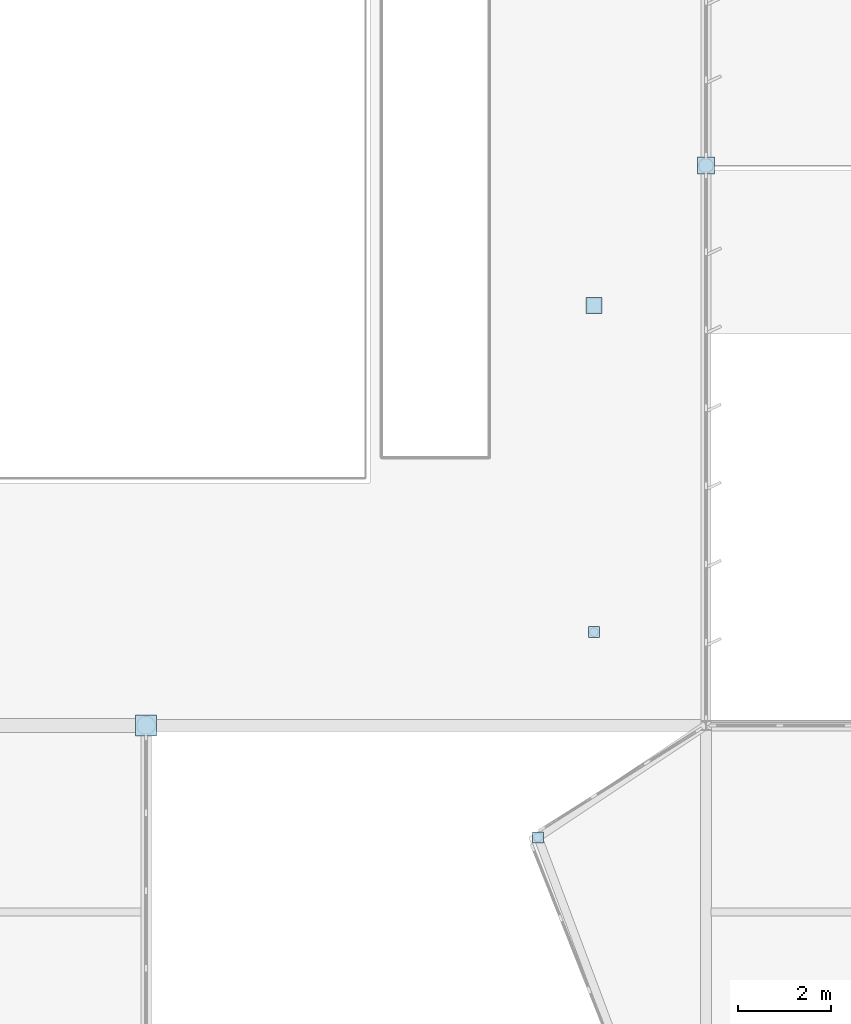
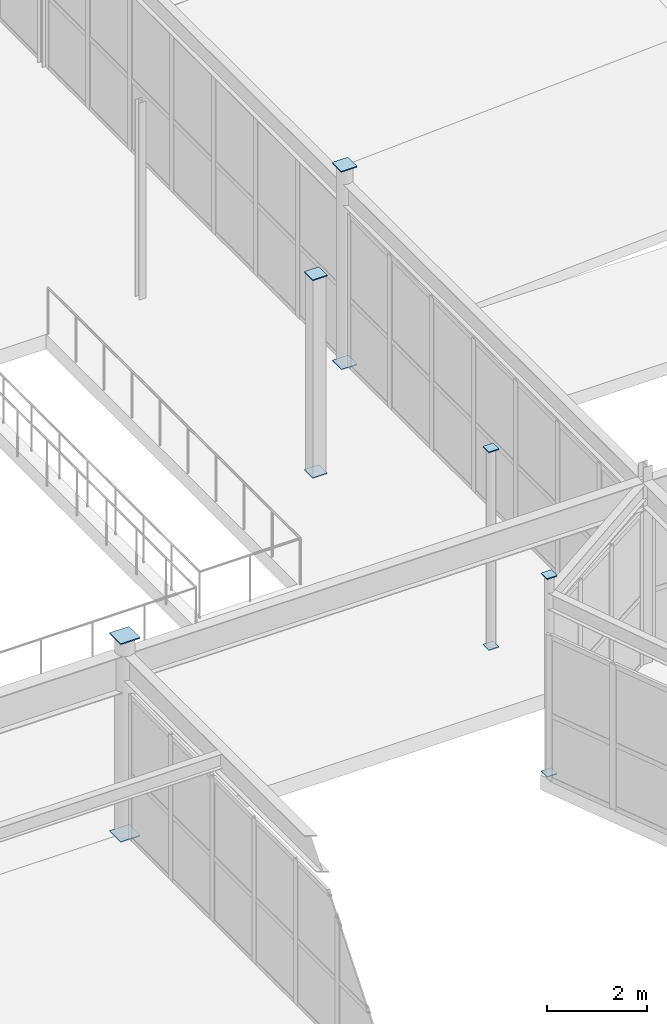
# One storey, part 181 of 226: 10 plates.
"""IFC4 building model written with IfcOpenShell, lengths in metres."""

from ifc_helpers import new_model, si_unit, direction, frame, origin, origin_2d, place, context, subcontext, project, spatial, rectangle, extrude, material, layer, layer_set, type_object, element, save


model = new_model("IFC4")

# Units and contexts
model_context = context("Model", 3, precision=1e-05, world=origin(), true_north=direction((0.0, 1.0)))
body_context = subcontext(model_context, "Body", "Model", "MODEL_VIEW")
ifc_project = project(units=[si_unit("LENGTHUNIT", "METRE"), si_unit("AREAUNIT", "SQUARE_METRE"), si_unit("VOLUMEUNIT", "CUBIC_METRE"), si_unit("PLANEANGLEUNIT", "RADIAN"), si_unit("MASSUNIT", "GRAM", prefix="KILO")], contexts=[model_context])

# Site, building, storey
site_placement = place(None, origin())
site = spatial("IfcSite", under=ifc_project, at=site_placement, CompositionType="ELEMENT")
building_placement = place(site_placement, origin())
building = spatial("IfcBuilding", under=site, at=building_placement, Name="Tarnwether General Hospital", CompositionType="ELEMENT")
storey_placement = place(building_placement, frame((0.0, 0.0, 4.800048828125)))
storey = spatial("IfcBuildingStorey", under=building, at=storey_placement, Name="L01", CompositionType="ELEMENT", Elevation=4.800048828125)

# Plates
ifc_material = material(Name="Steel Grade 350 (350 MPa)", Category="steel")
ifc_layer = layer(ifc_material, 0.02490234375)
ifc_layer_set = layer_set([ifc_layer], Name="Steel Grade 350 (350 MPa)")
plate_type = type_object("IfcPlateType", Name="PT-GUS2", PredefinedType="USERDEFINED", material=ifc_layer_set)
for number, where, z_axis, x_axis, name in (
    (1, (132.0, 45.60009765625, -0.02490234375), (0.0, 0.0, 1.0), (1.0, 0.0, 0.0), "Hollow Section Welded End Cap Plate 0227"),
    (2, (132.0, 45.60009765625, 4.800048828125), (0.0, 0.0, 1.0), (1.0, 0.0, 0.0), "Hollow Section Welded End Cap Plate 0228"),
):
    element("IfcPlate", number, at=place(storey_placement, frame(where, z_axis=z_axis, x_axis=x_axis)), inside=storey, type_object=plate_type, Name=name, ObjectType="GUSSET", PredefinedType="USERDEFINED", context=body_context, shape_type="SweptSolid", body=[
        extrude(rectangle(XDim=0.446044921875, YDim=0.446044921875, at=origin_2d()), origin(), (0.0, 0.0, 1.0), 0.02490234375),
    ])
for number, where, z_axis, x_axis, name in (
    (3, (144.0, 57.60009765625, -0.02490234375), (0.0, 0.0, 1.0), (1.0, 0.0, 0.0), "Hollow Section Welded End Cap Plate 0283"),
    (4, (144.0, 57.60009765625, 4.800048828125), (0.0, 0.0, 1.0), (1.0, 0.0, 0.0), "Hollow Section Welded End Cap Plate 0284"),
):
    element("IfcPlate", number, at=place(storey_placement, frame(where, z_axis=z_axis, x_axis=x_axis)), inside=storey, type_object=plate_type, Name=name, ObjectType="GUSSET", PredefinedType="USERDEFINED", context=body_context, shape_type="SweptSolid", body=[
        extrude(rectangle(XDim=0.364013671875, YDim=0.364013671875, at=origin_2d()), origin(), (0.0, 0.0, 1.0), 0.02490234375),
    ])
for number, where, z_axis, x_axis, name in (
    (5, (141.60009765625, 47.60009765625, -0.02490234375), (0.0, 0.0, 1.0), (1.0, 0.0, 0.0), "Hollow Section Welded End Cap Plate 0433"),
    (6, (141.60009765625, 47.60009765625, 4.800048828125), (0.0, 0.0, 1.0), (1.0, 0.0, 0.0), "Hollow Section Welded End Cap Plate 0434"),
):
    element("IfcPlate", number, at=place(storey_placement, frame(where, z_axis=z_axis, x_axis=x_axis)), inside=storey, type_object=plate_type, Name=name, ObjectType="GUSSET", PredefinedType="USERDEFINED", context=body_context, shape_type="SweptSolid", body=[
        extrude(rectangle(XDim=0.23388671875, YDim=0.23388671875, at=origin_2d()), origin(), (0.0, 0.0, 1.0), 0.02490234375),
    ])
for number, where, z_axis, x_axis, name in (
    (7, (141.60009765625, 54.60009765625, -0.02490234375), (0.0, 0.0, 1.0), (1.0, 0.0, 0.0), "Hollow Section Welded End Cap Plate 0439"),
    (8, (141.60009765625, 54.60009765625, 4.800048828125), (0.0, 0.0, 1.0), (1.0, 0.0, 0.0), "Hollow Section Welded End Cap Plate 0440"),
):
    element("IfcPlate", number, at=place(storey_placement, frame(where, z_axis=z_axis, x_axis=x_axis)), inside=storey, type_object=plate_type, Name=name, ObjectType="GUSSET", PredefinedType="USERDEFINED", context=body_context, shape_type="SweptSolid", body=[
        extrude(rectangle(XDim=0.340087890625, YDim=0.340087890625, at=origin_2d()), origin(), (0.0, 0.0, 1.0), 0.02490234375),
    ])
for number, where, z_axis, x_axis, name in (
    (9, (140.39990234375, 43.199951171875, -0.02490234375), (0.0, 0.0, 1.0), (1.0, 0.0, 0.0), "Hollow Section Welded End Cap Plate 0787"),
    (10, (140.39990234375, 43.199951171875, 4.800048828125), (0.0, 0.0, 1.0), (1.0, 0.0, 0.0), "Hollow Section Welded End Cap Plate 0788"),
):
    element("IfcPlate", number, at=place(storey_placement, frame(where, z_axis=z_axis, x_axis=x_axis)), inside=storey, type_object=plate_type, Name=name, ObjectType="GUSSET", PredefinedType="USERDEFINED", context=body_context, shape_type="SweptSolid", body=[
        extrude(rectangle(XDim=0.23388671875, YDim=0.23388671875, at=origin_2d()), origin(), (0.0, 0.0, 1.0), 0.02490234375),
    ])

save(model, "model.ifc")
